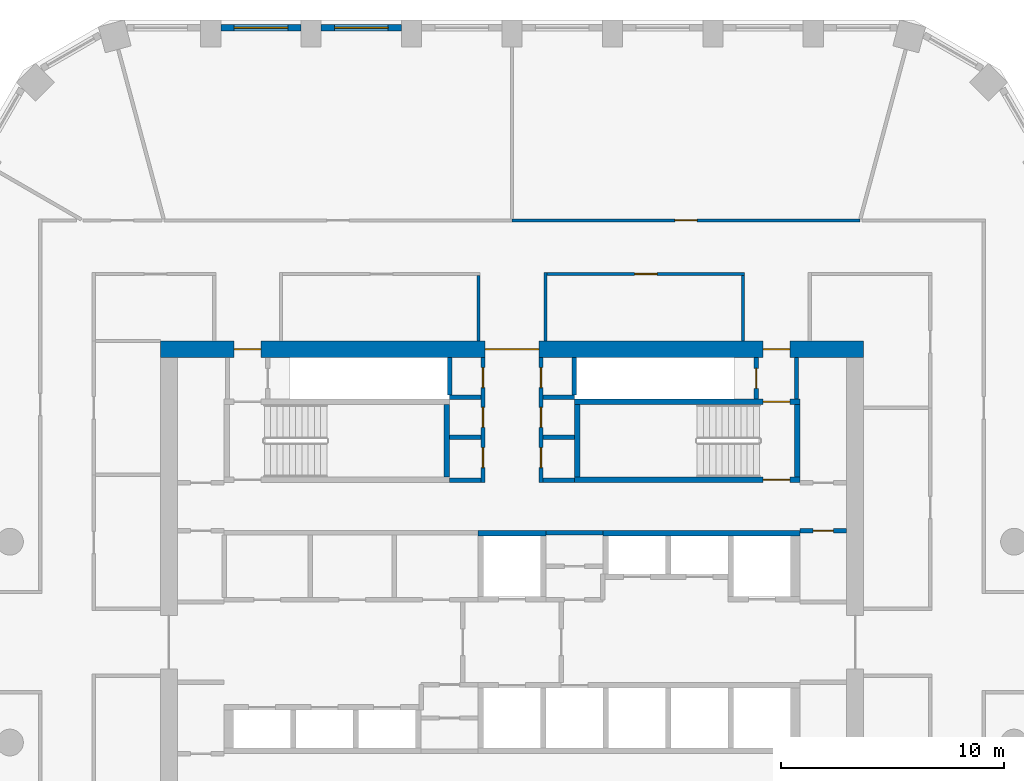
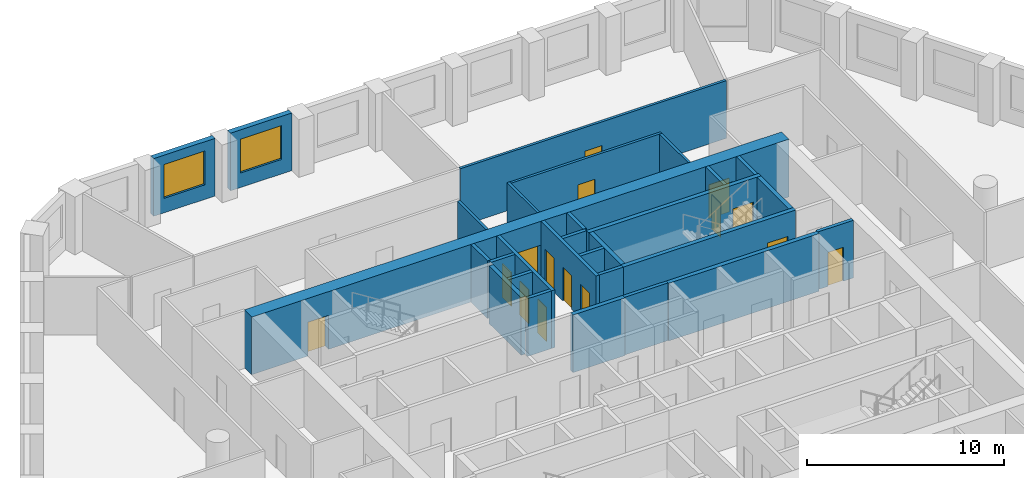
# One storey, part 7 of 10: 29 walls, 15 doors, 2 windows, 17 openings.
"""IFC4 building model written with IfcOpenShell, lengths in metres."""

import ifcopenshell
import ifcopenshell.guid

model = None  # the IFC model being written
_history = None  # IfcOwnerHistory: only IFC2X3 demands one
_inside = {}  # id of a spatial element -> (the spatial element, [elements in it])
_under = {}  # id of a project, library or spatial element -> (it, [spatial elements below it])
_declared = {}  # id of a project -> (the project, [libraries it declares])
_typed = {}  # id of a type object -> (the type object, [elements of that type])
_made_of = {}  # id of a material, layer set ... -> (it, [elements and type objects made of it])


def new_model(schema):
    """Start an empty IFC model of exactly this schema.

    Asked for "IFC4X3", IfcOpenShell would pick the latest addendum, in which some entities
    have other attributes; the version numbers below select the first issue.
    IFC2X3 requires an IfcOwnerHistory on every rooted entity: one is made here for all.
    """
    global model, _history
    if schema == "IFC4X3":
        model = ifcopenshell.file(schema_version=(4, 3, 0, 0))
    else:
        model = ifcopenshell.file(schema=schema)
    _inside.clear()
    _under.clear()
    _declared.clear()
    _typed.clear()
    _made_of.clear()
    _history = None
    if model.schema == "IFC2X3":
        org = make("IfcOrganization", Name="unknown")
        user = make(
            "IfcPersonAndOrganization",
            ThePerson=make("IfcPerson", FamilyName="unknown"),
            TheOrganization=org,
        )
        app = make(
            "IfcApplication",
            ApplicationDeveloper=org,
            Version="unknown",
            ApplicationFullName="unknown",
            ApplicationIdentifier="unknown",
        )
        _history = make(
            "IfcOwnerHistory",
            OwningUser=user,
            OwningApplication=app,
            ChangeAction="ADDED",
            CreationDate=0,
        )
    return model


def make(cls, **values):
    """One entity of the class cls with the attributes given. An attribute that is None is left unset."""
    return model.create_entity(
        cls, **{name: value for name, value in values.items() if value is not None}
    )


def rooted(cls, **values):
    """An entity with a GlobalId (a new one), such as an element, a storey or a relation."""
    return make(cls, GlobalId=ifcopenshell.guid.new(), OwnerHistory=_history, **values)


def si_unit(unit_type, name, prefix=None):
    """IfcSIUnit, for example si_unit("LENGTHUNIT", "METRE", prefix="MILLI")."""
    return make("IfcSIUnit", UnitType=unit_type, Prefix=prefix, Name=name)


def assignment(units):
    """IfcUnitAssignment: the units of a project."""
    return None if units is None else make("IfcUnitAssignment", Units=units)


def point(xyz):
    """IfcCartesianPoint."""
    return None if xyz is None else make("IfcCartesianPoint", Coordinates=xyz)


def direction(xyz):
    """IfcDirection."""
    return None if xyz is None else make("IfcDirection", DirectionRatios=xyz)


def frame(location, z_axis=None, x_axis=None):
    """IfcAxis2Placement3D, a coordinate frame: its origin and axes. An axis left out is left unset."""
    return make(
        "IfcAxis2Placement3D",
        Location=point(location),
        Axis=direction(z_axis),
        RefDirection=direction(x_axis),
    )


def frame_2d(location, x_axis=None):
    """IfcAxis2Placement2D, a coordinate frame in the plane: its origin and x axis."""
    return make(
        "IfcAxis2Placement2D", Location=point(location), RefDirection=direction(x_axis)
    )


def origin():
    """The frame at (0, 0, 0) with its axes left unset."""
    return frame((0.0, 0.0, 0.0))


def place(relative_to, where):
    """IfcLocalPlacement: puts the frame where relative to a parent placement (None: the world)."""
    return make(
        "IfcLocalPlacement", PlacementRelTo=relative_to, RelativePlacement=where
    )


def context(
    kind, dimensions, precision=None, world=None, true_north=None, identifier=None
):
    """IfcGeometricRepresentationContext, for example the 3D "Model" context."""
    return make(
        "IfcGeometricRepresentationContext",
        ContextIdentifier=identifier,
        ContextType=kind,
        CoordinateSpaceDimension=dimensions,
        Precision=precision,
        WorldCoordinateSystem=world,
        TrueNorth=true_north,
    )


def subcontext(parent, identifier, kind, view, scale=None):
    """IfcGeometricRepresentationSubContext, for example "Body" below "Model"."""
    return make(
        "IfcGeometricRepresentationSubContext",
        ContextIdentifier=identifier,
        ContextType=kind,
        ParentContext=parent,
        TargetScale=scale,
        TargetView=view,
    )


def project(units=None, contexts=None):
    """IfcProject with its units and contexts."""
    return rooted(
        "IfcProject",
        Name="project",
        RepresentationContexts=contexts,
        UnitsInContext=assignment(units),
    )


def spatial(cls, under=None, at=None, **own):
    """A site, building, storey or space (cls), placed at a placement, below another one or the project."""
    s = rooted(cls, ObjectPlacement=at, **own)
    if under is not None:
        _under.setdefault(under.id(), (under, []))[1].append(s)
    return s


def polyline(points):
    """IfcPolyline through the points."""
    return make("IfcPolyline", Points=[point(p) for p in points])


def profile(cls, at=None, kind="AREA", **sizes):
    """A parametric profile (cls). Its sizes go by their IFC names, for example OverallWidth=200.0."""
    return make(cls, ProfileType=kind, Position=at, **sizes)


def rectangle(**sizes):
    """IfcRectangleProfileDef."""
    return profile("IfcRectangleProfileDef", **sizes)


def outline(outer, holes=None, kind="AREA"):
    """IfcArbitraryClosedProfileDef: a profile drawn as a closed curve; with holes, ...WithVoids."""
    if holes is None:
        return make("IfcArbitraryClosedProfileDef", ProfileType=kind, OuterCurve=outer)
    return make(
        "IfcArbitraryProfileDefWithVoids",
        ProfileType=kind,
        OuterCurve=outer,
        InnerCurves=holes,
    )


def extrude(swept, where, along, depth):
    """IfcExtrudedAreaSolid: the profile swept, set in the frame where, extruded along a direction by depth."""
    return make(
        "IfcExtrudedAreaSolid",
        SweptArea=swept,
        Position=where,
        ExtrudedDirection=direction(along),
        Depth=depth,
    )


def shape(context_of_items, identifier, shape_type, items):
    """IfcShapeRepresentation: the items that make up one representation, for example the "Body"."""
    return make(
        "IfcShapeRepresentation",
        ContextOfItems=context_of_items,
        RepresentationIdentifier=identifier,
        RepresentationType=shape_type,
        Items=items,
    )


def material(Name=None, Category=None):
    """IfcMaterial."""
    return make("IfcMaterial", Name=Name, Category=Category)


def layer(
    of_material, thickness, ventilated=None, Name=None, Category=None, Priority=None
):
    """IfcMaterialLayer: one layer of a wall or slab, of a material (None: an air gap)."""
    return make(
        "IfcMaterialLayer",
        Material=of_material,
        LayerThickness=thickness,
        IsVentilated=ventilated,
        Name=Name,
        Category=Category,
        Priority=Priority,
    )


def layer_set(layers, Name=None):
    """IfcMaterialLayerSet."""
    return make("IfcMaterialLayerSet", MaterialLayers=layers, LayerSetName=Name)


def made_of(thing, what):
    """Note that an element or type object is made of a material, layer set ...; save() writes the relation."""
    if what is not None:
        _made_of.setdefault(what.id(), (what, []))[1].append(thing)
    return thing


def type_object(cls, material=None, **own):
    """A type object (cls), such as IfcWallType, which elements share."""
    return made_of(rooted(cls, **own), material)


def element(
    cls,
    number,
    at=None,
    inside=None,
    cuts=None,
    type_object=None,
    material=None,
    context=None,
    identifier="Body",
    shape_type=None,
    held_by="IfcProductDefinitionShape",
    body=None,
    shapes=None,
    **own,
):
    """One element of the class cls, such as IfcWall. Its Tag is "e" and its number.

    at: its placement. inside: the storey or other place that contains it. cuts: it is an
    opening in that element (IfcRelVoidsElement). A single representation is given by context,
    identifier, shape_type and body (its items); several are given by shapes. held_by: the class
    of the entity that holds the representations. save() writes the other relations.
    """
    e = rooted(cls, Tag="e%d" % number, ObjectPlacement=at, **own)
    if body is not None:
        shapes = [shape(context, identifier, shape_type, body)]
    if shapes is not None:
        e.Representation = make(held_by, Representations=shapes)
    if inside is not None:
        _inside.setdefault(inside.id(), (inside, []))[1].append(e)
    if cuts is not None:
        rooted(
            "IfcRelVoidsElement", RelatingBuildingElement=cuts, RelatedOpeningElement=e
        )
    if type_object is not None:
        _typed.setdefault(type_object.id(), (type_object, []))[1].append(e)
    return made_of(e, material)


def fill(opening, filler):
    """IfcRelFillsElement: the door or window that sits in an opening."""
    return rooted(
        "IfcRelFillsElement",
        RelatingOpeningElement=opening,
        RelatedBuildingElement=filler,
    )


def aggregate(whole, parts):
    """IfcRelAggregates: a whole, such as a stair, and the parts it consists of."""
    return rooted("IfcRelAggregates", RelatingObject=whole, RelatedObjects=parts)


def save(model, path):
    """Write the relations noted so far, then the file.

    IfcRelAggregates (storeys below a building ...), IfcRelContainedInSpatialStructure (elements
    in a storey), IfcRelDefinesByType, IfcRelAssociatesMaterial and IfcRelDeclares: one each for
    every whole, place, type object, material and project.
    """
    for whole, parts in _under.values():
        aggregate(whole, parts)
    for where, things in _inside.values():
        rooted(
            "IfcRelContainedInSpatialStructure",
            RelatedElements=things,
            RelatingStructure=where,
        )
    for kind, things in _typed.values():
        rooted("IfcRelDefinesByType", RelatedObjects=things, RelatingType=kind)
    for what, things in _made_of.values():
        rooted("IfcRelAssociatesMaterial", RelatedObjects=things, RelatingMaterial=what)
    for by, libraries in _declared.values():
        rooted("IfcRelDeclares", RelatingContext=by, RelatedDefinitions=libraries)
    model.write(path)


model = new_model("IFC4")

# Units and contexts
model_context = context("Model", 3, precision=1e-05, world=origin(), true_north=direction((0.0, 1.0)))
body_context = subcontext(model_context, "Body", "Model", "MODEL_VIEW")
ifc_project = project(units=[si_unit("LENGTHUNIT", "METRE"), si_unit("AREAUNIT", "SQUARE_METRE"), si_unit("VOLUMEUNIT", "CUBIC_METRE"), si_unit("PLANEANGLEUNIT", "RADIAN"), si_unit("MASSUNIT", "GRAM", prefix="KILO")], contexts=[model_context])

# Site, building, storey
site_placement = place(None, origin())
site = spatial("IfcSite", under=ifc_project, at=site_placement, CompositionType="ELEMENT")
building_placement = place(site_placement, origin())
building = spatial("IfcBuilding", under=site, at=building_placement, Name="Dhurran Vertical Campus", CompositionType="ELEMENT")
storey_placement = place(building_placement, frame((0.0, 0.0, 144.300048828125)))
storey = spatial("IfcBuildingStorey", under=building, at=storey_placement, Name="L35", CompositionType="ELEMENT", Elevation=144.300048828125)

# Wall, opening, window
ifc_material_1 = material(Name="Precast concrete C50/60", Category="concrete")
ifc_layer_1 = layer(ifc_material_1, 0.300048828125)
ifc_layer_set_1 = layer_set([ifc_layer_1], Name="Precast concrete C50/60")
wall_type_1 = type_object("IfcWallType", Name="Precast spandrel wall 300", PredefinedType="SOLIDWALL", material=ifc_layer_set_1)
wall_1_placement = place(storey_placement, frame((-4.950439453125, 27.53271484375, 0.0), z_axis=(0.0, 0.0, 1.0), x_axis=(-1.0, 0.0, 0.0)))
wall_1 = element("IfcWall", 1, at=wall_1_placement, inside=storey, type_object=wall_type_1, Name="EW1 L35.28", PredefinedType="SOLIDWALL", context=body_context, shape_type="SweptSolid", body=[
    extrude(rectangle(XDim=3.59912109375, YDim=0.300048828125, at=frame_2d((1.799560546875, 0.0))), origin(), (0.0, 0.0, 1.0), 3.574951171875),
])
opening_1_placement = place(wall_1_placement, frame((0.599609375, 0.0, 0.89990234375)))
opening_1 = element("IfcOpeningElement", 2, at=opening_1_placement, cuts=wall_1, Name="Opening WT1", PredefinedType="OPENING", context=body_context, shape_type="SweptSolid", body=[
    extrude(rectangle(XDim=2.39990234375, YDim=2.10009765625, at=frame_2d((1.199951171875, 1.050048828125))), frame((0.0, 0.159912109375, 0.0), z_axis=(0.0, -1.0, 0.0), x_axis=(1.0, 0.0, 0.0)), (0.0, 0.0, 1.0), 0.320068359375),
])
ifc_material_2 = material(Name="Aluminium frame with solar-control glass", Category="aluminium")
window_type = type_object("IfcWindowType", Name="Punched window 2400 x 2100", PartitioningType="SINGLE_PANEL", PredefinedType="WINDOW", material=ifc_material_2)
window_1_placement = place(opening_1_placement, origin())
window_1 = element("IfcWindow", 3, at=window_1_placement, inside=storey, type_object=window_type, Name="WT1 L35.28", OverallHeight=2.10009765625, OverallWidth=2.39990234375, PartitioningType="SINGLE_PANEL", PredefinedType="WINDOW", context=body_context, shape_type="SweptSolid", body=[
    extrude(rectangle(XDim=2.39990234375, YDim=2.10009765625, at=frame_2d((1.199951171875, 1.050048828125))), frame((0.0, 0.030029296875, 0.0), z_axis=(0.0, -1.0, 0.0), x_axis=(1.0, 0.0, 0.0)), (0.0, 0.0, 1.0), 0.06005859375),
])
fill(opening_1, window_1)

wall_2_placement = place(storey_placement, frame((-9.450439453125, 27.53271484375, 0.0), z_axis=(0.0, 0.0, 1.0), x_axis=(-1.0, 0.0, 0.0)))
wall_2 = element("IfcWall", 4, at=wall_2_placement, inside=storey, type_object=wall_type_1, Name="EW1 L35.29", PredefinedType="SOLIDWALL", context=body_context, shape_type="SweptSolid", body=[
    extrude(rectangle(XDim=3.59912109375, YDim=0.300048828125, at=frame_2d((1.799560546875, 0.0))), origin(), (0.0, 0.0, 1.0), 3.574951171875),
])
opening_2_placement = place(wall_2_placement, frame((0.599609375, 0.0, 0.89990234375)))
opening_2 = element("IfcOpeningElement", 5, at=opening_2_placement, cuts=wall_2, Name="Opening WT1", PredefinedType="OPENING", context=body_context, shape_type="SweptSolid", body=[
    extrude(rectangle(XDim=2.39990234375, YDim=2.10009765625, at=frame_2d((1.199951171875, 1.050048828125))), frame((0.0, 0.159912109375, 0.0), z_axis=(0.0, -1.0, 0.0), x_axis=(1.0, 0.0, 0.0)), (0.0, 0.0, 1.0), 0.320068359375),
])
window_2_placement = place(opening_2_placement, origin())
window_2 = element("IfcWindow", 6, at=window_2_placement, inside=storey, type_object=window_type, Name="WT1 L35.29", OverallHeight=2.10009765625, OverallWidth=2.39990234375, PartitioningType="SINGLE_PANEL", PredefinedType="WINDOW", context=body_context, shape_type="SweptSolid", body=[
    extrude(rectangle(XDim=2.39990234375, YDim=2.10009765625, at=frame_2d((1.199951171875, 1.050048828125))), frame((0.0, 0.030029296875, 0.0), z_axis=(0.0, -1.0, 0.0), x_axis=(1.0, 0.0, 0.0)), (0.0, 0.0, 1.0), 0.06005859375),
])
fill(opening_2, window_2)

# Wall, openings, doors
ifc_material_3 = material(Name="Concrete C60/75", Category="concrete")
ifc_layer_2 = layer(ifc_material_3, 0.75)
ifc_layer_set_2 = layer_set([ifc_layer_2], Name="Concrete C60/75")
wall_type_2 = type_object("IfcWallType", Name="co-CORE-WALL-C1-750", PredefinedType="SHEAR", material=ifc_layer_set_2)
wall_3_placement = place(storey_placement, frame((-15.75, 13.125, 0.0), z_axis=(0.0, 0.0, 1.0), x_axis=(1.0, 0.0, 0.0)))
wall_3 = element("IfcWall", 7, at=wall_3_placement, inside=storey, type_object=wall_type_2, Name="Core wall N L35", PredefinedType="SHEAR", context=body_context, shape_type="SweptSolid", body=[
    extrude(rectangle(XDim=31.5, YDim=0.75, at=frame_2d((15.75, 0.0))), origin(), (0.0, 0.0, 1.0), 3.574951171875),
])
opening_3_placement = place(wall_3_placement, frame((14.550048828125, 0.0, 0.0)))
opening_3 = element("IfcOpeningElement", 8, at=opening_3_placement, cuts=wall_3, Name="Opening CV1", PredefinedType="OPENING", context=body_context, shape_type="SweptSolid", body=[
    extrude(rectangle(XDim=2.39990234375, YDim=2.10009765625, at=frame_2d((1.199951171875, 1.050048828125))), frame((0.0, 0.385009765625, 0.0), z_axis=(0.0, -1.0, 0.0), x_axis=(1.0, 0.0, 0.0)), (0.0, 0.0, 1.0), 0.77001953125),
])
opening_4_placement = place(wall_3_placement, frame((3.300048828125, 0.0, 0.0)))
opening_4 = element("IfcOpeningElement", 9, at=opening_4_placement, cuts=wall_3, Name="Opening XD1", PredefinedType="OPENING", context=body_context, shape_type="SweptSolid", body=[
    extrude(rectangle(XDim=1.199951171875, YDim=2.10009765625, at=frame_2d((0.60009765625, 1.050048828125))), frame((0.0, 0.385009765625, 0.0), z_axis=(0.0, -1.0, 0.0), x_axis=(1.0, 0.0, 0.0)), (0.0, 0.0, 1.0), 0.77001953125),
])
opening_5_placement = place(wall_3_placement, frame((27.0, 0.0, 0.0)))
opening_5 = element("IfcOpeningElement", 10, at=opening_5_placement, cuts=wall_3, Name="Opening XD2", PredefinedType="OPENING", context=body_context, shape_type="SweptSolid", body=[
    extrude(rectangle(XDim=1.199951171875, YDim=2.10009765625, at=frame_2d((0.60009765625, 1.050048828125))), frame((0.0, 0.385009765625, 0.0), z_axis=(0.0, -1.0, 0.0), x_axis=(1.0, 0.0, 0.0)), (0.0, 0.0, 1.0), 0.77001953125),
])
ifc_material_4 = material(Name="Fire-rated glazed door set")
door_type_1 = type_object("IfcDoorType", Name="co-D-LOBBY 2400x2100", OperationType="DOUBLE_DOOR_DOUBLE_SWING", PredefinedType="DOOR", material=ifc_material_4)
door_1_placement = place(opening_3_placement, origin())
door_1 = element("IfcDoor", 11, at=door_1_placement, inside=storey, type_object=door_type_1, Name="Core vestibule door N L35", OperationType="DOUBLE_DOOR_DOUBLE_SWING", OverallHeight=2.10009765625, OverallWidth=2.39990234375, PredefinedType="DOOR", context=body_context, shape_type="SweptSolid", body=[
    extrude(rectangle(XDim=2.39990234375, YDim=2.10009765625, at=frame_2d((1.199951171875, 1.050048828125))), frame((0.0, 0.02490234375, 0.0), z_axis=(0.0, -1.0, 0.0), x_axis=(1.0, 0.0, 0.0)), (0.0, 0.0, 1.0), 0.050048828125),
])
fill(opening_3, door_1)
ifc_material_5 = material(Name="Fire-rated steel door set", Category="steel")
door_type_2 = type_object("IfcDoorType", Name="co-D-STAIR-EXIT 1200x2100", OperationType="SINGLE_SWING_RIGHT", PredefinedType="DOOR", material=ifc_material_5)
door_2_placement = place(opening_4_placement, origin())
door_2 = element("IfcDoor", 12, at=door_2_placement, inside=storey, type_object=door_type_2, Name="Stair ST1 exit door L35", OperationType="SINGLE_SWING_RIGHT", OverallHeight=2.10009765625, OverallWidth=1.199951171875, PredefinedType="DOOR", context=body_context, shape_type="SweptSolid", body=[
    extrude(rectangle(XDim=1.199951171875, YDim=2.10009765625, at=frame_2d((0.60009765625, 1.050048828125))), frame((0.0, 0.02490234375, 0.0), z_axis=(0.0, -1.0, 0.0), x_axis=(1.0, 0.0, 0.0)), (0.0, 0.0, 1.0), 0.050048828125),
])
fill(opening_4, door_2)
door_3_placement = place(opening_5_placement, origin())
door_3 = element("IfcDoor", 13, at=door_3_placement, inside=storey, type_object=door_type_2, Name="Stair ST2 exit door L35", OperationType="SINGLE_SWING_RIGHT", OverallHeight=2.10009765625, OverallWidth=1.199951171875, PredefinedType="DOOR", context=body_context, shape_type="SweptSolid", body=[
    extrude(rectangle(XDim=1.199951171875, YDim=2.10009765625, at=frame_2d((0.60009765625, 1.050048828125))), frame((0.0, 0.02490234375, 0.0), z_axis=(0.0, -1.0, 0.0), x_axis=(1.0, 0.0, 0.0)), (0.0, 0.0, 1.0), 0.050048828125),
])
fill(opening_5, door_3)

# Walls
ifc_material_6 = material(Name="Fire-rated masonry blockwork", Category="masonry")
ifc_layer_3 = layer(ifc_material_6, 0.199951171875)
ifc_layer_set_3 = layer_set([ifc_layer_3], Name="Fire-rated masonry blockwork")
wall_type_3 = type_object("IfcWallType", Name="co-FIRE-PARTITION-200", PredefinedType="PARTITIONING", material=ifc_layer_set_3)
for number, where, z_axis, x_axis, name in (
    (14, (-2.800048828125, 7.25, 0.0), (0.0, 0.0, 1.0), (1.0, 0.0, 0.0), "Core partition sl-NW-S L35"),
    (15, (-2.800048828125, 9.18603515625, 0.0), (0.0, 0.0, 1.0), (1.0, 0.0, 0.0), "Core partition sl-NW-cut0 L35"),
    (16, (-2.800048828125, 10.968017578125, 0.0), (0.0, 0.0, 1.0), (1.0, 0.0, 0.0), "Core partition sl-NW-cut1 L35"),
    (17, (1.39990234375, 7.25, 0.0), (0.0, 0.0, 1.0), (1.0, 0.0, 0.0), "Core partition sl-NE-S L35"),
    (18, (1.39990234375, 9.18603515625, 0.0), (0.0, 0.0, 1.0), (1.0, 0.0, 0.0), "Core partition sl-NE-cut0 L35"),
    (19, (1.39990234375, 10.968017578125, 0.0), (0.0, 0.0, 1.0), (1.0, 0.0, 0.0), "Core partition sl-NE-cut1 L35"),
):
    element("IfcWall", number, at=place(storey_placement, frame(where, z_axis=z_axis, x_axis=x_axis)), inside=storey, type_object=wall_type_3, Name=name, PredefinedType="PARTITIONING", context=body_context, shape_type="SweptSolid", body=[
        extrude(rectangle(XDim=1.400146484375, YDim=0.199951171875, at=frame_2d((0.7001953125, 0.0))), origin(), (0.0, 0.0, 1.0), 3.574951171875),
    ])

# Wall, openings, doors
wall_4_placement = place(storey_placement, frame((-1.300048828125, 7.14990234375, 0.0), z_axis=(0.0, 0.0, 1.0), x_axis=(0.0, 1.0, 0.0)))
wall_4 = element("IfcWall", 20, at=wall_4_placement, inside=storey, type_object=wall_type_3, Name="Core partition vest-NW L35", PredefinedType="PARTITIONING", context=body_context, shape_type="SweptSolid", body=[
    extrude(rectangle(XDim=5.60009765625, YDim=0.199951171875, at=frame_2d((2.800048828125, 0.0))), origin(), (0.0, 0.0, 1.0), 3.574951171875),
])
opening_6_placement = place(wall_4_placement, frame((0.66796875, 0.0, 0.0)))
opening_6 = element("IfcOpeningElement", 21, at=opening_6_placement, cuts=wall_4, Name="Opening T10-C5", PredefinedType="OPENING", context=body_context, shape_type="SweptSolid", body=[
    extrude(rectangle(XDim=0.89990234375, YDim=2.10009765625, at=frame_2d((0.449951171875, 1.050048828125))), frame((0.0, 0.10986328125, 0.0), z_axis=(0.0, -1.0, 0.0), x_axis=(1.0, 0.0, 0.0)), (0.0, 0.0, 1.0), 0.219970703125),
])
opening_7_placement = place(wall_4_placement, frame((2.47705078125, 0.0, 0.0)))
opening_7 = element("IfcOpeningElement", 22, at=opening_7_placement, cuts=wall_4, Name="Opening T10-C6", PredefinedType="OPENING", context=body_context, shape_type="SweptSolid", body=[
    extrude(rectangle(XDim=0.89990234375, YDim=2.10009765625, at=frame_2d((0.449951171875, 1.050048828125))), frame((0.0, 0.10986328125, 0.0), z_axis=(0.0, -1.0, 0.0), x_axis=(1.0, 0.0, 0.0)), (0.0, 0.0, 1.0), 0.219970703125),
])
opening_8_placement = place(wall_4_placement, frame((4.259033203125, 0.0, 0.0)))
opening_8 = element("IfcOpeningElement", 23, at=opening_8_placement, cuts=wall_4, Name="Opening T10-C7", PredefinedType="OPENING", context=body_context, shape_type="SweptSolid", body=[
    extrude(rectangle(XDim=0.89990234375, YDim=2.10009765625, at=frame_2d((0.449951171875, 1.050048828125))), frame((0.0, 0.10986328125, 0.0), z_axis=(0.0, -1.0, 0.0), x_axis=(1.0, 0.0, 0.0)), (0.0, 0.0, 1.0), 0.219970703125),
])
ifc_material_7 = material(Name="Fire-rated timber door set", Category="wood")
door_type_3 = type_object("IfcDoorType", Name="co-D-ROOM 900x2100", OperationType="SINGLE_SWING_LEFT", PredefinedType="DOOR", material=ifc_material_7)
door_4_placement = place(opening_6_placement, origin())
door_4 = element("IfcDoor", 24, at=door_4_placement, inside=storey, type_object=door_type_3, Name="Electrical riser door L35", OperationType="SINGLE_SWING_LEFT", OverallHeight=2.10009765625, OverallWidth=0.89990234375, PredefinedType="DOOR", context=body_context, shape_type="SweptSolid", body=[
    extrude(rectangle(XDim=0.89990234375, YDim=2.10009765625, at=frame_2d((0.449951171875, 1.050048828125))), frame((0.0, 0.02490234375, 0.0), z_axis=(0.0, -1.0, 0.0), x_axis=(1.0, 0.0, 0.0)), (0.0, 0.0, 1.0), 0.050048828125),
])
fill(opening_6, door_4)
door_5_placement = place(opening_7_placement, origin())
door_5 = element("IfcDoor", 25, at=door_5_placement, inside=storey, type_object=door_type_3, Name="Waste room door L35", OperationType="SINGLE_SWING_LEFT", OverallHeight=2.10009765625, OverallWidth=0.89990234375, PredefinedType="DOOR", context=body_context, shape_type="SweptSolid", body=[
    extrude(rectangle(XDim=0.89990234375, YDim=2.10009765625, at=frame_2d((0.449951171875, 1.050048828125))), frame((0.0, 0.02490234375, 0.0), z_axis=(0.0, -1.0, 0.0), x_axis=(1.0, 0.0, 0.0)), (0.0, 0.0, 1.0), 0.050048828125),
])
fill(opening_7, door_5)
door_6_placement = place(opening_8_placement, origin())
door_6 = element("IfcDoor", 26, at=door_6_placement, inside=storey, type_object=door_type_3, Name="Server room door L35", OperationType="SINGLE_SWING_LEFT", OverallHeight=2.10009765625, OverallWidth=0.89990234375, PredefinedType="DOOR", context=body_context, shape_type="SweptSolid", body=[
    extrude(rectangle(XDim=0.89990234375, YDim=2.10009765625, at=frame_2d((0.449951171875, 1.050048828125))), frame((0.0, 0.02490234375, 0.0), z_axis=(0.0, -1.0, 0.0), x_axis=(1.0, 0.0, 0.0)), (0.0, 0.0, 1.0), 0.050048828125),
])
fill(opening_8, door_6)

wall_5_placement = place(storey_placement, frame((1.300048828125, 7.14990234375, 0.0), z_axis=(0.0, 0.0, 1.0), x_axis=(0.0, 1.0, 0.0)))
wall_5 = element("IfcWall", 27, at=wall_5_placement, inside=storey, type_object=wall_type_3, Name="Core partition vest-NE L35", PredefinedType="PARTITIONING", context=body_context, shape_type="SweptSolid", body=[
    extrude(rectangle(XDim=5.60009765625, YDim=0.199951171875, at=frame_2d((2.800048828125, 0.0))), origin(), (0.0, 0.0, 1.0), 3.574951171875),
])
opening_9_placement = place(wall_5_placement, frame((0.66796875, 0.0, 0.0)))
opening_9 = element("IfcOpeningElement", 28, at=opening_9_placement, cuts=wall_5, Name="Opening T10-C8", PredefinedType="OPENING", context=body_context, shape_type="SweptSolid", body=[
    extrude(rectangle(XDim=0.89990234375, YDim=2.10009765625, at=frame_2d((0.449951171875, 1.050048828125))), frame((0.0, 0.10986328125, 0.0), z_axis=(0.0, -1.0, 0.0), x_axis=(1.0, 0.0, 0.0)), (0.0, 0.0, 1.0), 0.219970703125),
])
opening_10_placement = place(wall_5_placement, frame((2.47705078125, 0.0, 0.0)))
opening_10 = element("IfcOpeningElement", 29, at=opening_10_placement, cuts=wall_5, Name="Opening T10-C9", PredefinedType="OPENING", context=body_context, shape_type="SweptSolid", body=[
    extrude(rectangle(XDim=0.89990234375, YDim=2.10009765625, at=frame_2d((0.449951171875, 1.050048828125))), frame((0.0, 0.10986328125, 0.0), z_axis=(0.0, -1.0, 0.0), x_axis=(1.0, 0.0, 0.0)), (0.0, 0.0, 1.0), 0.219970703125),
])
opening_11_placement = place(wall_5_placement, frame((4.259033203125, 0.0, 0.0)))
opening_11 = element("IfcOpeningElement", 30, at=opening_11_placement, cuts=wall_5, Name="Opening T10-C10", PredefinedType="OPENING", context=body_context, shape_type="SweptSolid", body=[
    extrude(rectangle(XDim=0.89990234375, YDim=2.10009765625, at=frame_2d((0.449951171875, 1.050048828125))), frame((0.0, 0.10986328125, 0.0), z_axis=(0.0, -1.0, 0.0), x_axis=(1.0, 0.0, 0.0)), (0.0, 0.0, 1.0), 0.219970703125),
])
door_7_placement = place(opening_9_placement, origin())
door_7 = element("IfcDoor", 31, at=door_7_placement, inside=storey, type_object=door_type_3, Name="Water riser door L35", OperationType="SINGLE_SWING_LEFT", OverallHeight=2.10009765625, OverallWidth=0.89990234375, PredefinedType="DOOR", context=body_context, shape_type="SweptSolid", body=[
    extrude(rectangle(XDim=0.89990234375, YDim=2.10009765625, at=frame_2d((0.449951171875, 1.050048828125))), frame((0.0, 0.02490234375, 0.0), z_axis=(0.0, -1.0, 0.0), x_axis=(1.0, 0.0, 0.0)), (0.0, 0.0, 1.0), 0.050048828125),
])
fill(opening_9, door_7)
door_8_placement = place(opening_10_placement, origin())
door_8 = element("IfcDoor", 32, at=door_8_placement, inside=storey, type_object=door_type_3, Name="Fire equipment store door L35", OperationType="SINGLE_SWING_LEFT", OverallHeight=2.10009765625, OverallWidth=0.89990234375, PredefinedType="DOOR", context=body_context, shape_type="SweptSolid", body=[
    extrude(rectangle(XDim=0.89990234375, YDim=2.10009765625, at=frame_2d((0.449951171875, 1.050048828125))), frame((0.0, 0.02490234375, 0.0), z_axis=(0.0, -1.0, 0.0), x_axis=(1.0, 0.0, 0.0)), (0.0, 0.0, 1.0), 0.050048828125),
])
fill(opening_10, door_8)
door_9_placement = place(opening_11_placement, origin())
door_9 = element("IfcDoor", 33, at=door_9_placement, inside=storey, type_object=door_type_3, Name="Pantry door L35", OperationType="SINGLE_SWING_LEFT", OverallHeight=2.10009765625, OverallWidth=0.89990234375, PredefinedType="DOOR", context=body_context, shape_type="SweptSolid", body=[
    extrude(rectangle(XDim=0.89990234375, YDim=2.10009765625, at=frame_2d((0.449951171875, 1.050048828125))), frame((0.0, 0.02490234375, 0.0), z_axis=(0.0, -1.0, 0.0), x_axis=(1.0, 0.0, 0.0)), (0.0, 0.0, 1.0), 0.050048828125),
])
fill(opening_11, door_9)

# Wall
wall_6_placement = place(storey_placement, frame((12.75, 10.89990234375, 0.0), z_axis=(0.0, 0.0, 1.0), x_axis=(0.0, 1.0, 0.0)))
element("IfcWall", 34, at=wall_6_placement, inside=storey, type_object=wall_type_3, Name="Core partition pass-ST2-o L35", PredefinedType="PARTITIONING", context=body_context, shape_type="SweptSolid", body=[
    extrude(rectangle(XDim=1.85009765625, YDim=0.199951171875, at=frame_2d((0.925048828125, 0.0))), origin(), (0.0, 0.0, 1.0), 3.574951171875),
])

# Wall, opening, door
wall_7_placement = place(storey_placement, frame((10.949951171875, 10.89990234375, 0.0), z_axis=(0.0, 0.0, 1.0), x_axis=(0.0, 1.0, 0.0)))
wall_7 = element("IfcWall", 35, at=wall_7_placement, inside=storey, type_object=wall_type_3, Name="Core partition pass-ST2-i L35", PredefinedType="PARTITIONING", context=body_context, shape_type="SweptSolid", body=[
    extrude(rectangle(XDim=1.85009765625, YDim=0.199951171875, at=frame_2d((0.925048828125, 0.0))), origin(), (0.0, 0.0, 1.0), 3.574951171875),
])
opening_12_placement = place(wall_7_placement, frame((0.47509765625, 0.0, 0.0)))
opening_12 = element("IfcOpeningElement", 36, at=opening_12_placement, cuts=wall_7, Name="Opening T10-C12", PredefinedType="OPENING", context=body_context, shape_type="SweptSolid", body=[
    extrude(rectangle(XDim=0.89990234375, YDim=2.10009765625, at=frame_2d((0.449951171875, 1.050048828125))), frame((0.0, 0.10986328125, 0.0), z_axis=(0.0, -1.0, 0.0), x_axis=(1.0, 0.0, 0.0)), (0.0, 0.0, 1.0), 0.219970703125),
])
door_10_placement = place(opening_12_placement, origin())
door_10 = element("IfcDoor", 37, at=door_10_placement, inside=storey, type_object=door_type_3, Name="Riser room door L35", OperationType="SINGLE_SWING_LEFT", OverallHeight=2.10009765625, OverallWidth=0.89990234375, PredefinedType="DOOR", context=body_context, shape_type="SweptSolid", body=[
    extrude(rectangle(XDim=0.89990234375, YDim=2.10009765625, at=frame_2d((0.449951171875, 1.050048828125))), frame((0.0, 0.02490234375, 0.0), z_axis=(0.0, -1.0, 0.0), x_axis=(1.0, 0.0, 0.0)), (0.0, 0.0, 1.0), 0.050048828125),
])
fill(opening_12, door_10)

wall_8_placement = place(storey_placement, frame((12.89990234375, 5.0, 0.0), z_axis=(0.0, 0.0, 1.0), x_axis=(1.0, 0.0, 0.0)))
wall_8 = element("IfcWall", 38, at=wall_8_placement, inside=storey, type_object=wall_type_3, Name="Core partition es-NE-w L35", PredefinedType="PARTITIONING", context=body_context, shape_type="SweptSolid", body=[
    extrude(rectangle(XDim=2.10009765625, YDim=0.199951171875, at=frame_2d((1.050048828125, 0.0))), origin(), (0.0, 0.0, 1.0), 3.574951171875),
])
opening_13_placement = place(wall_8_placement, frame((0.60009765625, 0.0, 0.0)))
opening_13 = element("IfcOpeningElement", 39, at=opening_13_placement, cuts=wall_8, Name="Opening T10-C18", PredefinedType="OPENING", context=body_context, shape_type="SweptSolid", body=[
    extrude(rectangle(XDim=0.89990234375, YDim=2.10009765625, at=frame_2d((0.449951171875, 1.050048828125))), frame((0.0, 0.10986328125, 0.0), z_axis=(0.0, -1.0, 0.0), x_axis=(1.0, 0.0, 0.0)), (0.0, 0.0, 1.0), 0.219970703125),
])
door_11_placement = place(opening_13_placement, origin())
door_11 = element("IfcDoor", 40, at=door_11_placement, inside=storey, type_object=door_type_3, Name="Pantry door L35", OperationType="SINGLE_SWING_LEFT", OverallHeight=2.10009765625, OverallWidth=0.89990234375, PredefinedType="DOOR", context=body_context, shape_type="SweptSolid", body=[
    extrude(rectangle(XDim=0.89990234375, YDim=2.10009765625, at=frame_2d((0.449951171875, 1.050048828125))), frame((0.0, 0.02490234375, 0.0), z_axis=(0.0, -1.0, 0.0), x_axis=(1.0, 0.0, 0.0)), (0.0, 0.0, 1.0), 0.050048828125),
])
fill(opening_13, door_11)

# Walls
wall_9_placement = place(storey_placement, frame((1.52490234375, 4.89990234375, 0.0), z_axis=(0.0, 0.0, 1.0), x_axis=(1.0, 0.0, 0.0)))
element("IfcWall", 41, at=wall_9_placement, inside=storey, type_object=wall_type_3, Name="Core partition fr-N1-b L35", PredefinedType="PARTITIONING", context=body_context, shape_type="SweptSolid", body=[
    extrude(rectangle(XDim=2.550048828125, YDim=0.199951171875, at=frame_2d((1.27490234375, 0.0))), origin(), (0.0, 0.0, 1.0), 3.574951171875),
])
for number, where, z_axis, x_axis, name in (
    (42, (-2.800048828125, 11.069091796875, 0.0), (0.0, 0.0, 1.0), (0.0, 1.0, 0.0), "Riser enclosure wall L35"),
    (43, (2.800048828125, 12.7490234375, 0.0), (0.0, 0.0, 1.0), (0.0, -1.0, 0.0), "Riser enclosure wall L35"),
):
    element("IfcWall", number, at=place(storey_placement, frame(where, z_axis=z_axis, x_axis=x_axis)), inside=storey, type_object=wall_type_3, Name=name, PredefinedType="PARTITIONING", context=body_context, shape_type="SweptSolid", body=[
        extrude(rectangle(XDim=1.679931640625, YDim=0.199951171875, at=frame_2d((0.83984375, 0.0))), origin(), (0.0, 0.0, 1.0), 3.574951171875),
    ])
ifc_material_8 = material(Name="Concrete C50/60", Category="concrete")
ifc_layer_4 = layer(ifc_material_8, 0.25)
ifc_layer_set_4 = layer_set([ifc_layer_4], Name="Concrete C50/60")
wall_type_4 = type_object("IfcWallType", Name="co-SHAFT-MASS-250", PredefinedType="SHEAR", material=ifc_layer_set_4)
wall_10_placement = place(storey_placement, origin())
element("IfcWall", 44, at=wall_10_placement, inside=storey, type_object=wall_type_4, Name="Lift shaft wall N L35 1", PredefinedType="SHEAR", context=body_context, shape_type="SweptSolid", body=[
    extrude(outline(polyline([(-1.52490234375, 4.75), (1.52490234375, 4.75), (1.52490234375, 5.0), (-1.52490234375, 5.0), (-1.52490234375, 4.75)])), origin(), (0.0, 0.0, 1.0), 3.574951171875),
])
wall_11_placement = place(storey_placement, origin())
element("IfcWall", 45, at=wall_11_placement, inside=storey, type_object=wall_type_4, Name="Lift shaft wall N L35 2", PredefinedType="SHEAR", context=body_context, shape_type="SweptSolid", body=[
    extrude(outline(polyline([(4.074951171875, 4.75), (12.89990234375, 4.75), (12.89990234375, 5.0), (4.074951171875, 5.0), (4.074951171875, 4.75)])), origin(), (0.0, 0.0, 1.0), 3.574951171875),
])
ifc_material_9 = material(Name="Concrete C40/50", Category="concrete")
ifc_layer_5 = layer(ifc_material_9, 0.25)
ifc_layer_set_5 = layer_set([ifc_layer_5], Name="Concrete C40/50")
wall_type_5 = type_object("IfcWallType", Name="co-STAIR-WALL-250", PredefinedType="SHEAR", material=ifc_layer_set_5)
wall_12_placement = place(storey_placement, frame((-2.925048828125, 7.39990234375, 0.0), z_axis=(0.0, 0.0, 1.0), x_axis=(0.0, 1.0, 0.0)))
element("IfcWall", 46, at=wall_12_placement, inside=storey, type_object=wall_type_5, Name="Stair ST1 enclosure wall L35", PredefinedType="SHEAR", context=body_context, shape_type="SweptSolid", body=[
    extrude(rectangle(XDim=3.25, YDim=0.25, at=frame_2d((1.625, 0.0))), origin(), (0.0, 0.0, 1.0), 3.574951171875),
])

# Wall, opening, door
wall_13_placement = place(storey_placement, frame((2.800048828125, 7.27490234375, 0.0), z_axis=(0.0, 0.0, 1.0), x_axis=(1.0, 0.0, 0.0)))
wall_13 = element("IfcWall", 47, at=wall_13_placement, inside=storey, type_object=wall_type_5, Name="Stair ST2 enclosure wall L35", PredefinedType="SHEAR", context=body_context, shape_type="SweptSolid", body=[
    extrude(rectangle(XDim=10.099853515625, YDim=0.25, at=frame_2d((5.0498046875, 0.0))), origin(), (0.0, 0.0, 1.0), 3.574951171875),
])
opening_14_placement = place(wall_13_placement, frame((8.449951171875, 0.0, 0.0)))
opening_14 = element("IfcOpeningElement", 48, at=opening_14_placement, cuts=wall_13, Name="Opening SD2", PredefinedType="OPENING", context=body_context, shape_type="SweptSolid", body=[
    extrude(rectangle(XDim=1.199951171875, YDim=2.10009765625, at=frame_2d((0.60009765625, 1.050048828125))), frame((0.0, 0.135009765625, 0.0), z_axis=(0.0, -1.0, 0.0), x_axis=(1.0, 0.0, 0.0)), (0.0, 0.0, 1.0), 0.27001953125),
])
ifc_material_10 = material(Name="Fire-rated steel door set", Category="steel")
door_type_4 = type_object("IfcDoorType", Name="co-D-STAIR 1200x2100", OperationType="SINGLE_SWING_LEFT", PredefinedType="DOOR", material=ifc_material_10)
door_12_placement = place(opening_14_placement, origin())
door_12 = element("IfcDoor", 49, at=door_12_placement, inside=storey, type_object=door_type_4, Name="Stair ST2 door L35", OperationType="SINGLE_SWING_LEFT", OverallHeight=2.10009765625, OverallWidth=1.199951171875, PredefinedType="DOOR", context=body_context, shape_type="SweptSolid", body=[
    extrude(rectangle(XDim=1.199951171875, YDim=2.10009765625, at=frame_2d((0.60009765625, 1.050048828125))), frame((0.0, 0.02490234375, 0.0), z_axis=(0.0, -1.0, 0.0), x_axis=(1.0, 0.0, 0.0)), (0.0, 0.0, 1.0), 0.050048828125),
])
fill(opening_14, door_12)

wall_14_placement = place(storey_placement, frame((2.800048828125, 10.77490234375, 0.0), z_axis=(0.0, 0.0, 1.0), x_axis=(1.0, 0.0, 0.0)))
wall_14 = element("IfcWall", 50, at=wall_14_placement, inside=storey, type_object=wall_type_5, Name="Stair ST2 enclosure wall L35", PredefinedType="SHEAR", context=body_context, shape_type="SweptSolid", body=[
    extrude(rectangle(XDim=10.099853515625, YDim=0.25, at=frame_2d((5.0498046875, 0.0))), origin(), (0.0, 0.0, 1.0), 3.574951171875),
])
opening_15_placement = place(wall_14_placement, frame((8.449951171875, 0.0, 0.0)))
opening_15 = element("IfcOpeningElement", 51, at=opening_15_placement, cuts=wall_14, Name="Opening XS2", PredefinedType="OPENING", context=body_context, shape_type="SweptSolid", body=[
    extrude(rectangle(XDim=1.199951171875, YDim=2.10009765625, at=frame_2d((0.60009765625, 1.050048828125))), frame((0.0, 0.135009765625, 0.0), z_axis=(0.0, -1.0, 0.0), x_axis=(1.0, 0.0, 0.0)), (0.0, 0.0, 1.0), 0.27001953125),
])
door_13_placement = place(opening_15_placement, origin())
door_13 = element("IfcDoor", 52, at=door_13_placement, inside=storey, type_object=door_type_2, Name="Stair ST2 discharge door L35", OperationType="SINGLE_SWING_RIGHT", OverallHeight=2.10009765625, OverallWidth=1.199951171875, PredefinedType="DOOR", context=body_context, shape_type="SweptSolid", body=[
    extrude(rectangle(XDim=1.199951171875, YDim=2.10009765625, at=frame_2d((0.60009765625, 1.050048828125))), frame((0.0, 0.02490234375, 0.0), z_axis=(0.0, -1.0, 0.0), x_axis=(1.0, 0.0, 0.0)), (0.0, 0.0, 1.0), 0.050048828125),
])
fill(opening_15, door_13)

# Walls
for number, where, z_axis, x_axis, name in (
    (53, (2.925048828125, 7.39990234375, 0.0), (0.0, 0.0, 1.0), (0.0, 1.0, 0.0), "Stair ST2 enclosure wall L35"),
    (54, (12.77490234375, 7.39990234375, 0.0), (0.0, 0.0, 1.0), (0.0, 1.0, 0.0), "Stair ST2 enclosure wall L35"),
):
    element("IfcWall", number, at=place(storey_placement, frame(where, z_axis=z_axis, x_axis=x_axis)), inside=storey, type_object=wall_type_5, Name=name, PredefinedType="SHEAR", context=body_context, shape_type="SweptSolid", body=[
        extrude(rectangle(XDim=3.25, YDim=0.25, at=frame_2d((1.625, 0.0))), origin(), (0.0, 0.0, 1.0), 3.574951171875),
    ])
ifc_material_11 = material(Name="Gypsum board corridor wall on steel studs", Category="steel")
ifc_layer_6 = layer(ifc_material_11, 0.14990234375)
ifc_layer_set_6 = layer_set([ifc_layer_6], Name="Gypsum board corridor wall on steel studs")
wall_type_6 = type_object("IfcWallType", Name="fl-CW-150 corridor wall", PredefinedType="PARTITIONING", material=ifc_layer_set_6)
wall_15_placement = place(storey_placement, frame((-1.5, 16.425048828125, 0.0), z_axis=(0.0, 0.0, 1.0), x_axis=(0.0, -1.0, 0.0)))
element("IfcWall", 55, at=wall_15_placement, inside=storey, type_object=wall_type_6, Name="Partition 35-34", PredefinedType="PARTITIONING", context=body_context, shape_type="SweptSolid", body=[
    extrude(rectangle(XDim=2.925048828125, YDim=0.14990234375, at=frame_2d((1.46240234375, 0.0))), origin(), (0.0, 0.0, 1.0), 3.574951171875),
])

# Wall, opening, door
wall_16_placement = place(storey_placement, frame((15.593017578125, 18.89990234375, 0.0), z_axis=(0.0, 0.0, 1.0), x_axis=(-1.0, 0.0, 0.0)))
wall_16 = element("IfcWall", 56, at=wall_16_placement, inside=storey, type_object=wall_type_6, Name="Partition 35-36", PredefinedType="PARTITIONING", context=body_context, shape_type="SweptSolid", body=[
    extrude(rectangle(XDim=15.593017578125, YDim=0.14990234375, at=frame_2d((7.79638671875, 0.0))), origin(), (0.0, 0.0, 1.0), 3.574951171875),
])
opening_16_placement = place(wall_16_placement, frame((7.29638671875, 0.0, 0.0)))
opening_16 = element("IfcOpeningElement", 57, at=opening_16_placement, cuts=wall_16, Name="Opening T10.16", PredefinedType="OPENING", context=body_context, shape_type="SweptSolid", body=[
    extrude(rectangle(XDim=1.0, YDim=2.10009765625, at=frame_2d((0.5, 1.050048828125))), frame((0.0, 0.0849609375, 0.0), z_axis=(0.0, -1.0, 0.0), x_axis=(1.0, 0.0, 0.0)), (0.0, 0.0, 1.0), 0.169921875),
])
ifc_material_12 = material(Name="Solid-core timber door set, fire-rated", Category="wood")
door_type_5 = type_object("IfcDoorType", Name="fl-D-1000x2100", OperationType="SINGLE_SWING_LEFT", PredefinedType="DOOR", material=ifc_material_12)
door_14_placement = place(opening_16_placement, origin())
door_14 = element("IfcDoor", 58, at=door_14_placement, inside=storey, type_object=door_type_5, Name="Door 35.16", OperationType="SINGLE_SWING_RIGHT", OverallHeight=2.10009765625, OverallWidth=1.0, PredefinedType="DOOR", context=body_context, shape_type="SweptSolid", body=[
    extrude(rectangle(XDim=1.0, YDim=2.10009765625, at=frame_2d((0.5, 1.050048828125))), frame((0.0, 0.02490234375, 0.0), z_axis=(0.0, -1.0, 0.0), x_axis=(1.0, 0.0, 0.0)), (0.0, 0.0, 1.0), 0.050048828125),
])
fill(opening_16, door_14)

# Wall
wall_17_placement = place(storey_placement, frame((1.5, 13.5, 0.0), z_axis=(0.0, 0.0, 1.0), x_axis=(0.0, 1.0, 0.0)))
element("IfcWall", 59, at=wall_17_placement, inside=storey, type_object=wall_type_6, Name="Partition 35-39", PredefinedType="PARTITIONING", context=body_context, shape_type="SweptSolid", body=[
    extrude(rectangle(XDim=3.074951171875, YDim=0.14990234375, at=frame_2d((1.53759765625, 0.0))), origin(), (0.0, 0.0, 1.0), 3.574951171875),
])

# Wall, opening, door
wall_18_placement = place(storey_placement, frame((1.574951171875, 16.5, 0.0), z_axis=(0.0, 0.0, 1.0), x_axis=(1.0, 0.0, 0.0)))
wall_18 = element("IfcWall", 60, at=wall_18_placement, inside=storey, type_object=wall_type_6, Name="Partition 35-40", PredefinedType="PARTITIONING", context=body_context, shape_type="SweptSolid", body=[
    extrude(rectangle(XDim=8.85009765625, YDim=0.14990234375, at=frame_2d((4.425048828125, 0.0))), origin(), (0.0, 0.0, 1.0), 3.574951171875),
])
opening_17_placement = place(wall_18_placement, frame((3.925048828125, 0.0, 0.0)))
opening_17 = element("IfcOpeningElement", 61, at=opening_17_placement, cuts=wall_18, Name="Opening T10.15", PredefinedType="OPENING", context=body_context, shape_type="SweptSolid", body=[
    extrude(rectangle(XDim=1.0, YDim=2.10009765625, at=frame_2d((0.5, 1.050048828125))), frame((0.0, 0.0849609375, 0.0), z_axis=(0.0, -1.0, 0.0), x_axis=(1.0, 0.0, 0.0)), (0.0, 0.0, 1.0), 0.169921875),
])
door_15_placement = place(opening_17_placement, origin())
door_15 = element("IfcDoor", 62, at=door_15_placement, inside=storey, type_object=door_type_5, Name="Door 35.15", OperationType="SINGLE_SWING_LEFT", OverallHeight=2.10009765625, OverallWidth=1.0, PredefinedType="DOOR", context=body_context, shape_type="SweptSolid", body=[
    extrude(rectangle(XDim=1.0, YDim=2.10009765625, at=frame_2d((0.5, 1.050048828125))), frame((0.0, 0.02490234375, 0.0), z_axis=(0.0, -1.0, 0.0), x_axis=(1.0, 0.0, 0.0)), (0.0, 0.0, 1.0), 0.050048828125),
])
fill(opening_17, door_15)

# Wall
wall_19_placement = place(storey_placement, frame((10.35009765625, 16.425048828125, 0.0), z_axis=(0.0, 0.0, 1.0), x_axis=(0.0, -1.0, 0.0)))
element("IfcWall", 63, at=wall_19_placement, inside=storey, type_object=wall_type_6, Name="Partition 35-44", PredefinedType="PARTITIONING", context=body_context, shape_type="SweptSolid", body=[
    extrude(rectangle(XDim=2.925048828125, YDim=0.14990234375, at=frame_2d((1.46240234375, 0.0))), origin(), (0.0, 0.0, 1.0), 3.574951171875),
])

save(model, "model.ifc")
